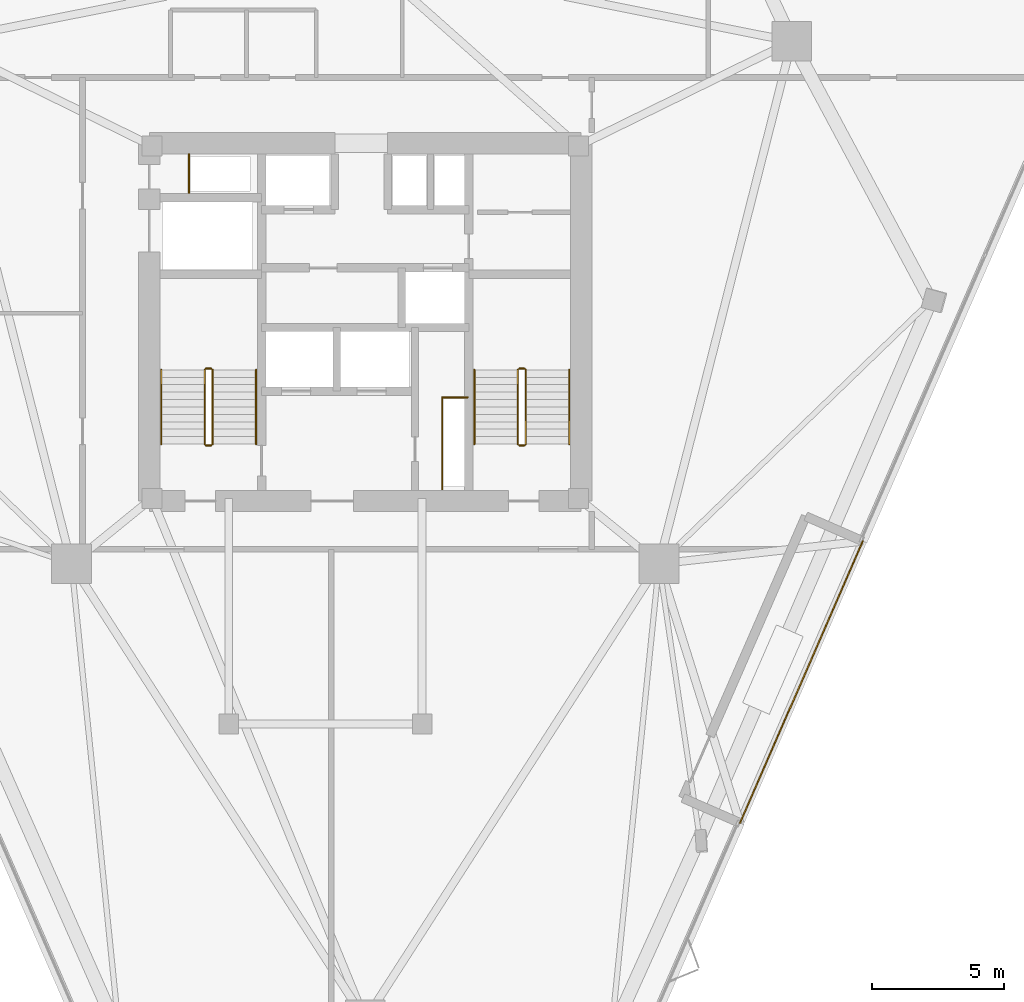
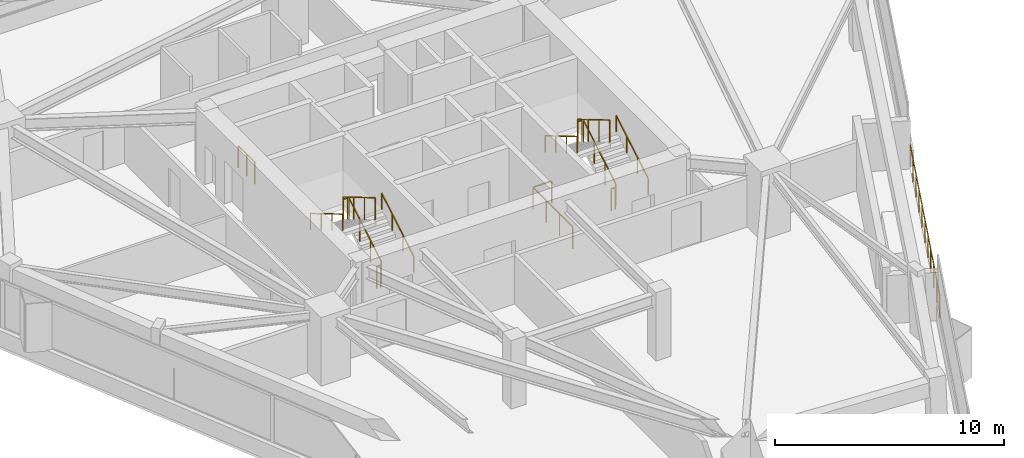
# One storey, part 11 of 11: 15 railings.
"""IFC4 building model written with IfcOpenShell, lengths in metres."""

from ifc_helpers import new_model, si_unit, direction, frame, origin, origin_2d, place, context, subcontext, project, spatial, rectangle, extrude, material, type_object, element, save


model = new_model("IFC4")

# Units and contexts
model_context = context("Model", 3, precision=1e-05, world=origin(), true_north=direction((0.0, 1.0)))
body_context = subcontext(model_context, "Body", "Model", "MODEL_VIEW")
ifc_project = project(units=[si_unit("LENGTHUNIT", "METRE"), si_unit("AREAUNIT", "SQUARE_METRE"), si_unit("VOLUMEUNIT", "CUBIC_METRE"), si_unit("PLANEANGLEUNIT", "RADIAN"), si_unit("MASSUNIT", "GRAM", prefix="KILO")], contexts=[model_context])

# Site, building, storey
site_placement = place(None, origin())
site = spatial("IfcSite", under=ifc_project, at=site_placement, CompositionType="ELEMENT")
building_placement = place(site_placement, origin())
building = spatial("IfcBuilding", under=site, at=building_placement, Name="Talyreon Biosciences Tower", CompositionType="ELEMENT")
storey_placement = place(building_placement, frame((0.0, 0.0, 149.10009765625)))
storey = spatial("IfcBuildingStorey", under=building, at=storey_placement, Name="L39", CompositionType="ELEMENT", Elevation=149.10009765625)

# Railings
ifc_material_1 = material(Name="Stainless-steel and laminated glass balustrade", Category="steel")
railing_type_1 = type_object("IfcRailingType", Name="SkyGardenGlassBalustrade_1250", PredefinedType="GUARDRAIL", material=ifc_material_1)
railing_1_placement = place(storey_placement, frame((84.781005859375, 59.734130859375, 0.0)))
element("IfcRailing", 1, at=railing_1_placement, inside=storey, type_object=railing_type_1, Name="L39 Terrace Edge Balustrade 03", PredefinedType="GUARDRAIL", context=body_context, shape_type="SweptSolid", body=[
    extrude(rectangle(XDim=0.048095703125, YDim=0.048095703125, at=origin_2d()), frame((0.0, 0.0, 1.22607421875), z_axis=(-0.399697883631, -0.916646934114, 0.0), x_axis=(0.916646934114, -0.399697883631, 0.0)), (0.0, 0.0, 1.0), 11.599853515625),
    extrude(rectangle(XDim=0.0419921875, YDim=0.0419921875, at=origin_2d()), origin(), (0.0, 0.0, 1.0), 1.201904296875),
    extrude(rectangle(XDim=0.0419921875, YDim=0.0419921875, at=origin_2d()), frame((-0.463623046875, -1.063232421875, 0.0)), (0.0, 0.0, 1.0), 1.201904296875),
    extrude(rectangle(XDim=0.0419921875, YDim=0.0419921875, at=origin_2d()), frame((-0.92724609375, -2.126708984375, 0.0)), (0.0, 0.0, 1.0), 1.201904296875),
    extrude(rectangle(XDim=0.0419921875, YDim=0.0419921875, at=origin_2d()), frame((-1.390869140625, -3.18994140625, 0.0)), (0.0, 0.0, 1.0), 1.201904296875),
    extrude(rectangle(XDim=0.0419921875, YDim=0.0419921875, at=origin_2d()), frame((-1.8544921875, -4.253173828125, 0.0)), (0.0, 0.0, 1.0), 1.201904296875),
    extrude(rectangle(XDim=0.0419921875, YDim=0.0419921875, at=origin_2d()), frame((-2.318359375, -5.31640625, 0.0)), (0.0, 0.0, 1.0), 1.201904296875),
    extrude(rectangle(XDim=0.0419921875, YDim=0.0419921875, at=origin_2d()), frame((-2.781982421875, -6.3798828125, 0.0)), (0.0, 0.0, 1.0), 1.201904296875),
    extrude(rectangle(XDim=0.0419921875, YDim=0.0419921875, at=origin_2d()), frame((-3.24560546875, -7.443115234375, 0.0)), (0.0, 0.0, 1.0), 1.201904296875),
    extrude(rectangle(XDim=0.0419921875, YDim=0.0419921875, at=origin_2d()), frame((-3.709228515625, -8.50634765625, 0.0)), (0.0, 0.0, 1.0), 1.201904296875),
    extrude(rectangle(XDim=0.0419921875, YDim=0.0419921875, at=origin_2d()), frame((-4.1728515625, -9.56982421875, 0.0)), (0.0, 0.0, 1.0), 1.201904296875),
    extrude(rectangle(XDim=0.0419921875, YDim=0.0419921875, at=origin_2d()), frame((-4.636474609375, -10.633056640625, 0.0)), (0.0, 0.0, 1.0), 1.201904296875),
])
ifc_material_2 = material(Name="Brushed stainless-steel tubular handrail", Category="steel")
railing_type_2 = type_object("IfcRailingType", Name="StairWallHandrail_900", PredefinedType="HANDRAIL", material=ifc_material_2)
railing_2_placement = place(storey_placement, frame((61.8798828125, 63.39990234375, 0.165771484375)))
element("IfcRailing", 2, at=railing_2_placement, inside=storey, type_object=railing_type_2, Name="L39 ST-1 stair handrail 1", PredefinedType="HANDRAIL", context=body_context, shape_type="SweptSolid", body=[
    extrude(rectangle(XDim=0.048095703125, YDim=0.048095703125, at=origin_2d()), frame((0.0, 0.0, 0.8759765625), z_axis=(0.0, 0.860306154799, 0.50977771628), x_axis=(-1.0, 0.0, 0.0)), (0.0, 0.0, 1.0), 3.254638671875),
    extrude(rectangle(XDim=0.0419921875, YDim=0.0419921875, at=origin_2d()), origin(), (0.0, 0.0, 1.0), 0.851806640625),
    extrude(rectangle(XDim=0.0419921875, YDim=0.0419921875, at=origin_2d()), frame((0.0, 0.933349609375, 0.552978515625)), (0.0, 0.0, 1.0), 0.851806640625),
    extrude(rectangle(XDim=0.0419921875, YDim=0.0419921875, at=origin_2d()), frame((0.0, 1.86669921875, 1.106201171875)), (0.0, 0.0, 1.0), 0.851806640625),
    extrude(rectangle(XDim=0.0419921875, YDim=0.0419921875, at=origin_2d()), frame((0.0, 2.800048828125, 1.6591796875)), (0.0, 0.0, 1.0), 0.851806640625),
])
railing_3_placement = place(storey_placement, frame((58.300048828125, 66.199951171875, 1.99072265625)))
element("IfcRailing", 3, at=railing_3_placement, inside=storey, type_object=railing_type_2, Name="L39 ST-1 stair handrail 2", PredefinedType="HANDRAIL", context=body_context, shape_type="SweptSolid", body=[
    extrude(rectangle(XDim=0.048095703125, YDim=0.048095703125, at=origin_2d()), frame((0.0, 0.0, 0.8759765625), z_axis=(0.0, -0.860306154799, 0.50977771628), x_axis=(1.0, 0.0, 0.0)), (0.0, 0.0, 1.0), 3.254638671875),
    extrude(rectangle(XDim=0.0419921875, YDim=0.0419921875, at=origin_2d()), origin(), (0.0, 0.0, 1.0), 0.851806640625),
    extrude(rectangle(XDim=0.0419921875, YDim=0.0419921875, at=origin_2d()), frame((0.0, -0.933349609375, 0.552978515625)), (0.0, 0.0, 1.0), 0.851806640625),
    extrude(rectangle(XDim=0.0419921875, YDim=0.0419921875, at=origin_2d()), frame((0.0, -1.86669921875, 1.106201171875)), (0.0, 0.0, 1.0), 0.851806640625),
    extrude(rectangle(XDim=0.0419921875, YDim=0.0419921875, at=origin_2d()), frame((0.0, -2.800048828125, 1.6591796875)), (0.0, 0.0, 1.0), 0.851806640625),
])
railing_4_placement = place(storey_placement, frame((73.699951171875, 63.39990234375, 0.165771484375)))
element("IfcRailing", 4, at=railing_4_placement, inside=storey, type_object=railing_type_2, Name="L39 ST-2 stair handrail 1", PredefinedType="HANDRAIL", context=body_context, shape_type="SweptSolid", body=[
    extrude(rectangle(XDim=0.048095703125, YDim=0.048095703125, at=origin_2d()), frame((0.0, 0.0, 0.8759765625), z_axis=(0.0, 0.860306154799, 0.50977771628), x_axis=(-1.0, 0.0, 0.0)), (0.0, 0.0, 1.0), 3.254638671875),
    extrude(rectangle(XDim=0.0419921875, YDim=0.0419921875, at=origin_2d()), origin(), (0.0, 0.0, 1.0), 0.851806640625),
    extrude(rectangle(XDim=0.0419921875, YDim=0.0419921875, at=origin_2d()), frame((0.0, 0.933349609375, 0.552978515625)), (0.0, 0.0, 1.0), 0.851806640625),
    extrude(rectangle(XDim=0.0419921875, YDim=0.0419921875, at=origin_2d()), frame((0.0, 1.86669921875, 1.106201171875)), (0.0, 0.0, 1.0), 0.851806640625),
    extrude(rectangle(XDim=0.0419921875, YDim=0.0419921875, at=origin_2d()), frame((0.0, 2.800048828125, 1.6591796875)), (0.0, 0.0, 1.0), 0.851806640625),
])
railing_5_placement = place(storey_placement, frame((70.1201171875, 66.199951171875, 1.99072265625)))
element("IfcRailing", 5, at=railing_5_placement, inside=storey, type_object=railing_type_2, Name="L39 ST-2 stair handrail 2", PredefinedType="HANDRAIL", context=body_context, shape_type="SweptSolid", body=[
    extrude(rectangle(XDim=0.048095703125, YDim=0.048095703125, at=origin_2d()), frame((0.0, 0.0, 0.8759765625), z_axis=(0.0, -0.860306154799, 0.50977771628), x_axis=(1.0, 0.0, 0.0)), (0.0, 0.0, 1.0), 3.254638671875),
    extrude(rectangle(XDim=0.0419921875, YDim=0.0419921875, at=origin_2d()), origin(), (0.0, 0.0, 1.0), 0.851806640625),
    extrude(rectangle(XDim=0.0419921875, YDim=0.0419921875, at=origin_2d()), frame((0.0, -0.933349609375, 0.552978515625)), (0.0, 0.0, 1.0), 0.851806640625),
    extrude(rectangle(XDim=0.0419921875, YDim=0.0419921875, at=origin_2d()), frame((0.0, -1.86669921875, 1.106201171875)), (0.0, 0.0, 1.0), 0.851806640625),
    extrude(rectangle(XDim=0.0419921875, YDim=0.0419921875, at=origin_2d()), frame((0.0, -2.800048828125, 1.6591796875)), (0.0, 0.0, 1.0), 0.851806640625),
])
ifc_material_3 = material(Name="Painted galvanised steel post-and-rail balustrade", Category="steel")
railing_type_3 = type_object("IfcRailingType", Name="TerraceStairGuard_1200", PredefinedType="GUARDRAIL", material=ifc_material_3)
railing_6_placement = place(storey_placement, frame((60.239990234375, 63.39990234375, 0.165771484375)))
element("IfcRailing", 6, at=railing_6_placement, inside=storey, type_object=railing_type_3, Name="L39 ST-1 stair guard 1", PredefinedType="GUARDRAIL", context=body_context, shape_type="SweptSolid", body=[
    extrude(rectangle(XDim=0.048095703125, YDim=0.048095703125, at=origin_2d()), frame((0.0, 0.0, 1.17578125), z_axis=(0.0, 0.860306154799, 0.50977771628), x_axis=(-1.0, 0.0, 0.0)), (0.0, 0.0, 1.0), 3.254638671875),
    extrude(rectangle(XDim=0.0419921875, YDim=0.0419921875, at=origin_2d()), origin(), (0.0, 0.0, 1.0), 1.15185546875),
    extrude(rectangle(XDim=0.0419921875, YDim=0.0419921875, at=origin_2d()), frame((0.0, 0.933349609375, 0.552978515625)), (0.0, 0.0, 1.0), 1.15185546875),
    extrude(rectangle(XDim=0.0419921875, YDim=0.0419921875, at=origin_2d()), frame((0.0, 1.86669921875, 1.106201171875)), (0.0, 0.0, 1.0), 1.15185546875),
    extrude(rectangle(XDim=0.0419921875, YDim=0.0419921875, at=origin_2d()), frame((0.0, 2.800048828125, 1.6591796875)), (0.0, 0.0, 1.0), 1.15185546875),
])
railing_7_placement = place(storey_placement, frame((60.18994140625, 66.25, 1.824951171875)))
element("IfcRailing", 7, at=railing_7_placement, inside=storey, type_object=railing_type_3, Name="L39 ST-1 stair guard 2", PredefinedType="GUARDRAIL", context=body_context, shape_type="SweptSolid", body=[
    extrude(rectangle(XDim=0.048095703125, YDim=0.048095703125, at=origin_2d()), frame((0.0, 0.0, 1.17578125), z_axis=(-1.0, 0.0, 0.0), x_axis=(0.0, -1.0, 0.0)), (0.0, 0.0, 1.0), 0.199951171875),
    extrude(rectangle(XDim=0.0419921875, YDim=0.0419921875, at=origin_2d()), origin(), (0.0, 0.0, 1.0), 1.15185546875),
    extrude(rectangle(XDim=0.0419921875, YDim=0.0419921875, at=origin_2d()), frame((-0.199951171875, 0.0, 0.0)), (0.0, 0.0, 1.0), 1.15185546875),
])
railing_8_placement = place(storey_placement, frame((59.93994140625, 66.199951171875, 1.99072265625)))
element("IfcRailing", 8, at=railing_8_placement, inside=storey, type_object=railing_type_3, Name="L39 ST-1 stair guard 3", PredefinedType="GUARDRAIL", context=body_context, shape_type="SweptSolid", body=[
    extrude(rectangle(XDim=0.048095703125, YDim=0.048095703125, at=origin_2d()), frame((0.0, 0.0, 1.17578125), z_axis=(0.0, -0.860306154799, 0.50977771628), x_axis=(1.0, 0.0, 0.0)), (0.0, 0.0, 1.0), 3.254638671875),
    extrude(rectangle(XDim=0.0419921875, YDim=0.0419921875, at=origin_2d()), origin(), (0.0, 0.0, 1.0), 1.15185546875),
    extrude(rectangle(XDim=0.0419921875, YDim=0.0419921875, at=origin_2d()), frame((0.0, -0.933349609375, 0.552978515625)), (0.0, 0.0, 1.0), 1.15185546875),
    extrude(rectangle(XDim=0.0419921875, YDim=0.0419921875, at=origin_2d()), frame((0.0, -1.86669921875, 1.106201171875)), (0.0, 0.0, 1.0), 1.15185546875),
    extrude(rectangle(XDim=0.0419921875, YDim=0.0419921875, at=origin_2d()), frame((0.0, -2.800048828125, 1.6591796875)), (0.0, 0.0, 1.0), 1.15185546875),
])
railing_9_placement = place(storey_placement, frame((60.18994140625, 63.35009765625, 0.0)))
element("IfcRailing", 9, at=railing_9_placement, inside=storey, type_object=railing_type_3, Name="L39 ST-1 stair guard 4", PredefinedType="GUARDRAIL", context=body_context, shape_type="SweptSolid", body=[
    extrude(rectangle(XDim=0.048095703125, YDim=0.048095703125, at=origin_2d()), frame((0.0, 0.0, 1.17578125), z_axis=(-1.0, 0.0, 0.0), x_axis=(0.0, -1.0, 0.0)), (0.0, 0.0, 1.0), 0.199951171875),
    extrude(rectangle(XDim=0.0419921875, YDim=0.0419921875, at=origin_2d()), origin(), (0.0, 0.0, 1.0), 1.15185546875),
    extrude(rectangle(XDim=0.0419921875, YDim=0.0419921875, at=origin_2d()), frame((-0.199951171875, 0.0, 0.0)), (0.0, 0.0, 1.0), 1.15185546875),
])
railing_10_placement = place(storey_placement, frame((72.06005859375, 63.39990234375, 0.165771484375)))
element("IfcRailing", 10, at=railing_10_placement, inside=storey, type_object=railing_type_3, Name="L39 ST-2 stair guard 1", PredefinedType="GUARDRAIL", context=body_context, shape_type="SweptSolid", body=[
    extrude(rectangle(XDim=0.048095703125, YDim=0.048095703125, at=origin_2d()), frame((0.0, 0.0, 1.17578125), z_axis=(0.0, 0.860306154799, 0.50977771628), x_axis=(-1.0, 0.0, 0.0)), (0.0, 0.0, 1.0), 3.254638671875),
    extrude(rectangle(XDim=0.0419921875, YDim=0.0419921875, at=origin_2d()), origin(), (0.0, 0.0, 1.0), 1.15185546875),
    extrude(rectangle(XDim=0.0419921875, YDim=0.0419921875, at=origin_2d()), frame((0.0, 0.933349609375, 0.552978515625)), (0.0, 0.0, 1.0), 1.15185546875),
    extrude(rectangle(XDim=0.0419921875, YDim=0.0419921875, at=origin_2d()), frame((0.0, 1.86669921875, 1.106201171875)), (0.0, 0.0, 1.0), 1.15185546875),
    extrude(rectangle(XDim=0.0419921875, YDim=0.0419921875, at=origin_2d()), frame((0.0, 2.800048828125, 1.6591796875)), (0.0, 0.0, 1.0), 1.15185546875),
])
railing_11_placement = place(storey_placement, frame((72.010009765625, 66.25, 1.824951171875)))
element("IfcRailing", 11, at=railing_11_placement, inside=storey, type_object=railing_type_3, Name="L39 ST-2 stair guard 2", PredefinedType="GUARDRAIL", context=body_context, shape_type="SweptSolid", body=[
    extrude(rectangle(XDim=0.048095703125, YDim=0.048095703125, at=origin_2d()), frame((0.0, 0.0, 1.17578125), z_axis=(-1.0, 0.0, 0.0), x_axis=(0.0, -1.0, 0.0)), (0.0, 0.0, 1.0), 0.199951171875),
    extrude(rectangle(XDim=0.0419921875, YDim=0.0419921875, at=origin_2d()), origin(), (0.0, 0.0, 1.0), 1.15185546875),
    extrude(rectangle(XDim=0.0419921875, YDim=0.0419921875, at=origin_2d()), frame((-0.199951171875, 0.0, 0.0)), (0.0, 0.0, 1.0), 1.15185546875),
])
railing_12_placement = place(storey_placement, frame((71.760009765625, 66.199951171875, 1.99072265625)))
element("IfcRailing", 12, at=railing_12_placement, inside=storey, type_object=railing_type_3, Name="L39 ST-2 stair guard 3", PredefinedType="GUARDRAIL", context=body_context, shape_type="SweptSolid", body=[
    extrude(rectangle(XDim=0.048095703125, YDim=0.048095703125, at=origin_2d()), frame((0.0, 0.0, 1.17578125), z_axis=(0.0, -0.860306154799, 0.50977771628), x_axis=(1.0, 0.0, 0.0)), (0.0, 0.0, 1.0), 3.254638671875),
    extrude(rectangle(XDim=0.0419921875, YDim=0.0419921875, at=origin_2d()), origin(), (0.0, 0.0, 1.0), 1.15185546875),
    extrude(rectangle(XDim=0.0419921875, YDim=0.0419921875, at=origin_2d()), frame((0.0, -0.933349609375, 0.552978515625)), (0.0, 0.0, 1.0), 1.15185546875),
    extrude(rectangle(XDim=0.0419921875, YDim=0.0419921875, at=origin_2d()), frame((0.0, -1.86669921875, 1.106201171875)), (0.0, 0.0, 1.0), 1.15185546875),
    extrude(rectangle(XDim=0.0419921875, YDim=0.0419921875, at=origin_2d()), frame((0.0, -2.800048828125, 1.6591796875)), (0.0, 0.0, 1.0), 1.15185546875),
])
railing_13_placement = place(storey_placement, frame((72.010009765625, 63.35009765625, 0.0)))
element("IfcRailing", 13, at=railing_13_placement, inside=storey, type_object=railing_type_3, Name="L39 ST-2 stair guard 4", PredefinedType="GUARDRAIL", context=body_context, shape_type="SweptSolid", body=[
    extrude(rectangle(XDim=0.048095703125, YDim=0.048095703125, at=origin_2d()), frame((0.0, 0.0, 1.17578125), z_axis=(-1.0, 0.0, 0.0), x_axis=(0.0, -1.0, 0.0)), (0.0, 0.0, 1.0), 0.199951171875),
    extrude(rectangle(XDim=0.0419921875, YDim=0.0419921875, at=origin_2d()), origin(), (0.0, 0.0, 1.0), 1.15185546875),
    extrude(rectangle(XDim=0.0419921875, YDim=0.0419921875, at=origin_2d()), frame((-0.199951171875, 0.0, 0.0)), (0.0, 0.0, 1.0), 1.15185546875),
])
railing_14_placement = place(storey_placement, frame((59.35009765625, 72.8798828125, 0.0)))
element("IfcRailing", 14, at=railing_14_placement, inside=storey, type_object=railing_type_3, Name="L39 Exhaust Riser Maintenance Guardrail", PredefinedType="GUARDRAIL", context=body_context, shape_type="SweptSolid", body=[
    extrude(rectangle(XDim=0.048095703125, YDim=0.048095703125, at=origin_2d()), frame((0.0, 0.0, 1.17578125), z_axis=(0.0, 1.0, 0.0), x_axis=(-1.0, 0.0, 0.0)), (0.0, 0.0, 1.0), 1.4501953125),
    extrude(rectangle(XDim=0.0419921875, YDim=0.0419921875, at=origin_2d()), origin(), (0.0, 0.0, 1.0), 1.15185546875),
    extrude(rectangle(XDim=0.0419921875, YDim=0.0419921875, at=origin_2d()), frame((0.0, 0.72509765625, 0.0)), (0.0, 0.0, 1.0), 1.15185546875),
    extrude(rectangle(XDim=0.0419921875, YDim=0.0419921875, at=origin_2d()), frame((0.0, 1.4501953125, 0.0)), (0.0, 0.0, 1.0), 1.15185546875),
])
railing_15_placement = place(storey_placement, frame((68.909912109375, 61.699951171875, 0.0)))
element("IfcRailing", 15, at=railing_15_placement, inside=storey, type_object=railing_type_3, Name="L39 Electrical Riser Maintenance Guardrail", PredefinedType="GUARDRAIL", context=body_context, shape_type="SweptSolid", body=[
    extrude(rectangle(XDim=0.048095703125, YDim=0.048095703125, at=origin_2d()), frame((0.0, 0.0, 1.17578125), z_axis=(0.0, 1.0, 0.0), x_axis=(-1.0, 0.0, 0.0)), (0.0, 0.0, 1.0), 3.4599609375),
    extrude(rectangle(XDim=0.048095703125, YDim=0.048095703125, at=origin_2d()), frame((0.0, 3.4599609375, 1.17578125), z_axis=(1.0, 0.0, 0.0), x_axis=(0.0, 1.0, 0.0)), (0.0, 0.0, 1.0), 0.9501953125),
    extrude(rectangle(XDim=0.0419921875, YDim=0.0419921875, at=origin_2d()), origin(), (0.0, 0.0, 1.0), 1.15185546875),
    extrude(rectangle(XDim=0.0419921875, YDim=0.0419921875, at=origin_2d()), frame((0.0, 1.1533203125, 0.0)), (0.0, 0.0, 1.0), 1.15185546875),
    extrude(rectangle(XDim=0.0419921875, YDim=0.0419921875, at=origin_2d()), frame((0.0, 2.306640625, 0.0)), (0.0, 0.0, 1.0), 1.15185546875),
    extrude(rectangle(XDim=0.0419921875, YDim=0.0419921875, at=origin_2d()), frame((0.0, 3.4599609375, 0.0)), (0.0, 0.0, 1.0), 1.15185546875),
    extrude(rectangle(XDim=0.0419921875, YDim=0.0419921875, at=origin_2d()), frame((0.9501953125, 3.4599609375, 0.0)), (0.0, 0.0, 1.0), 1.15185546875),
])

save(model, "model.ifc")
